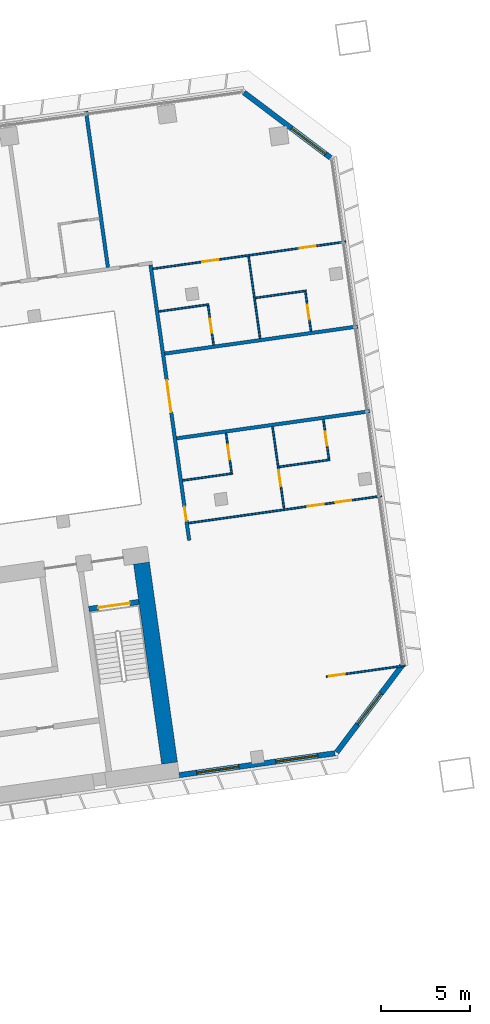
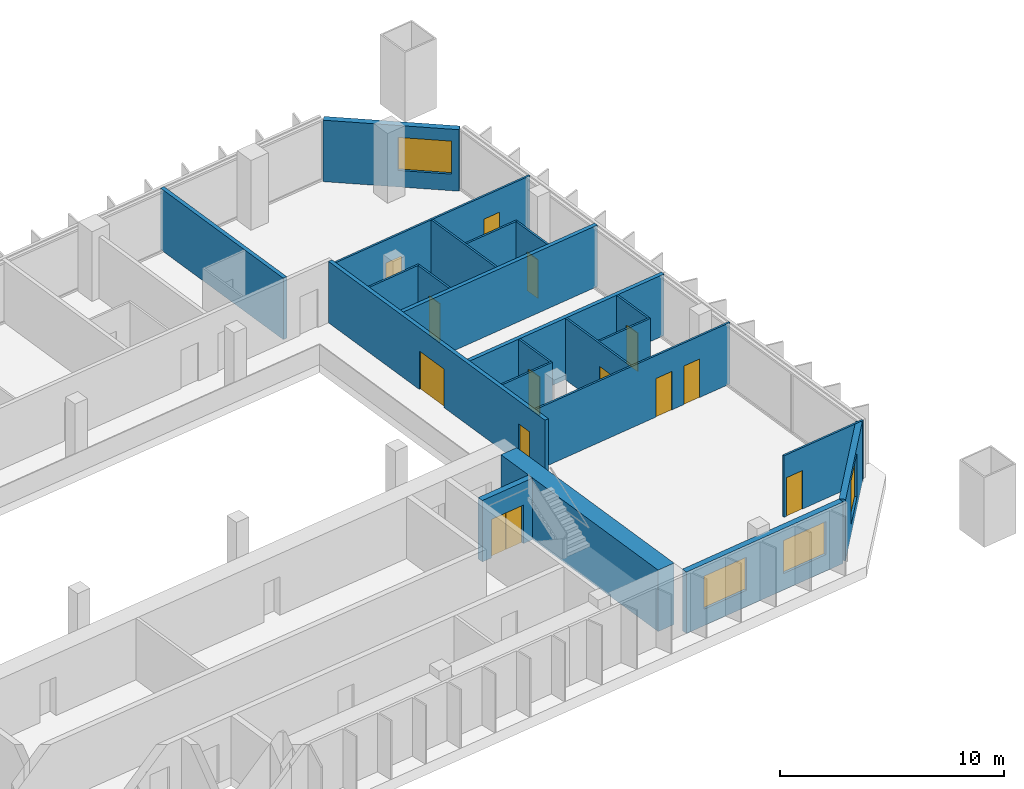
# One storey, part 21 of 24: 22 walls, 13 doors, 4 windows, 17 openings.
"""IFC4 building model written with IfcOpenShell, lengths in metres."""

from ifc_helpers import new_model, si_unit, direction, frame, frame_2d, origin, place, context, subcontext, project, spatial, rectangle, extrude, material, layer, layer_set, type_object, element, fill, save


model = new_model("IFC4")

# Units and contexts
model_context = context("Model", 3, precision=1e-05, world=origin(), true_north=direction((0.0, 1.0)))
body_context = subcontext(model_context, "Body", "Model", "MODEL_VIEW")
ifc_project = project(units=[si_unit("LENGTHUNIT", "METRE"), si_unit("AREAUNIT", "SQUARE_METRE"), si_unit("VOLUMEUNIT", "CUBIC_METRE"), si_unit("PLANEANGLEUNIT", "RADIAN"), si_unit("MASSUNIT", "GRAM", prefix="KILO")], contexts=[model_context])

# Site, building, storey
site_placement = place(None, origin())
site = spatial("IfcSite", under=ifc_project, at=site_placement, CompositionType="ELEMENT")
building_placement = place(site_placement, origin())
building = spatial("IfcBuilding", under=site, at=building_placement, Name="Mirante Cascada Hotel Towers", CompositionType="ELEMENT")
storey_placement = place(building_placement, frame((0.0, 0.0, 81.3)))
storey = spatial("IfcBuildingStorey", under=building, at=storey_placement, Name="L17", CompositionType="ELEMENT", Elevation=81.3)

# Walls
ifc_material_1 = material(Name="Fire-rated plasterboard on metal studs")
ifc_layer_1 = layer(ifc_material_1, 0.2)
ifc_layer_set_1 = layer_set([ifc_layer_1], Name="Compartment wall 200 EI 120")
wall_type_1 = type_object("IfcWallType", Name="Compartment wall 200 EI 120", PredefinedType="PARTITIONING", material=ifc_layer_set_1)
for number, where, z_axis, x_axis, name in (
    (1, (90.4064, 6.4896, 0.0), (0.0, 0.0, 1.0), (0.990268, 0.1391733, 0.0), "Wall 2-L17-08"),
    (2, (100.6266, 12.8067, 0.0), (0.0, 0.0, 1.0), (-0.990268, -0.1391733, 0.0), "Wall 2-L17-09"),
):
    element("IfcWall", number, at=place(storey_placement, frame(where, z_axis=z_axis, x_axis=x_axis)), inside=storey, type_object=wall_type_1, Name=name, PredefinedType="PARTITIONING", context=body_context, shape_type="SweptSolid", body=[
        extrude(rectangle(XDim=11.0, YDim=0.2, at=frame_2d((5.5, 0.0))), origin(), (0.0, 0.0, 1.0), 3.35),
    ])
wall_1_placement = place(storey_placement, frame((86.525, 16.1433, 0.0), z_axis=(0.0, 0.0, 1.0), x_axis=(-0.1391684, 0.9902687, 0.0)))
element("IfcWall", 3, at=wall_1_placement, inside=storey, type_object=wall_type_1, Name="Wall 2-L17-40", PredefinedType="PARTITIONING", context=body_context, shape_type="SweptSolid", body=[
    extrude(rectangle(XDim=8.9, YDim=0.2, at=frame_2d((4.45, 0.0))), origin(), (0.0, 0.0, 1.0), 3.35),
])

# Wall, openings, doors
wall_2_placement = place(storey_placement, frame((88.9295, 16.2793, 0.0), z_axis=(0.0, 0.0, 1.0), x_axis=(0.1391721, -0.9902682, 0.0)))
wall_2 = element("IfcWall", 4, at=wall_2_placement, inside=storey, type_object=wall_type_1, Name="Wall 2-L17-41", PredefinedType="PARTITIONING", context=body_context, shape_type="SweptSolid", body=[
    extrude(rectangle(XDim=15.7, YDim=0.2, at=frame_2d((7.85, 0.0))), origin(), (0.0, 0.0, 1.0), 3.35),
])
opening_1_placement = place(wall_2_placement, frame((13.7833, 0.0, 0.0)))
opening_1 = element("IfcOpeningElement", 5, at=opening_1_placement, cuts=wall_2, Name="Opening D2-L17-25", PredefinedType="OPENING", context=body_context, shape_type="SweptSolid", body=[
    extrude(rectangle(XDim=0.8, YDim=2.1, at=frame_2d((0.4, 1.05))), frame((0.0, 0.1, 0.0), z_axis=(0.0, -1.0, 0.0), x_axis=(1.0, 0.0, 0.0)), (0.0, 0.0, 1.0), 0.2),
])
opening_2_placement = place(wall_2_placement, frame((6.5834, 0.0, 0.0)))
opening_2 = element("IfcOpeningElement", 6, at=opening_2_placement, cuts=wall_2, Name="Opening D2-L17-26", PredefinedType="OPENING", context=body_context, shape_type="SweptSolid", body=[
    extrude(rectangle(XDim=1.8, YDim=2.1, at=frame_2d((0.9, 1.05))), frame((0.0, 0.1, 0.0), z_axis=(0.0, -1.0, 0.0), x_axis=(1.0, 0.0, 0.0)), (0.0, 0.0, 1.0), 0.2),
])
ifc_material_2 = material(Name="Fire-rated timber door leaf", Category="wood")
door_type_1 = type_object("IfcDoorType", Name="Bathroom door DG4 800x2100 EI 60", OperationType="SINGLE_SWING_LEFT", PredefinedType="DOOR", material=ifc_material_2)
door_1_placement = place(opening_1_placement, frame((0.8, 0.0, 0.0), z_axis=(0.0, 0.0, 1.0), x_axis=(-1.0, 0.0, 0.0)))
door_1 = element("IfcDoor", 7, at=door_1_placement, inside=storey, type_object=door_type_1, Name="Door D2-L17-25", OperationType="SINGLE_SWING_RIGHT", OverallHeight=2.1, OverallWidth=0.8, PredefinedType="DOOR", context=body_context, shape_type="SweptSolid", body=[
    extrude(rectangle(XDim=0.8, YDim=2.1, at=frame_2d((0.4, 1.05))), frame((0.0, 0.025, 0.0), z_axis=(0.0, -1.0, 0.0), x_axis=(1.0, 0.0, 0.0)), (0.0, 0.0, 1.0), 0.05),
])
fill(opening_1, door_1)
ifc_material_3 = material(Name="Fire-rated timber door leaf", Category="wood")
door_type_2 = type_object("IfcDoorType", Name="Suite double door DG2 1800x2100 EI 60", OperationType="DOUBLE_DOOR_SINGLE_SWING", PredefinedType="DOOR", material=ifc_material_3)
door_2_placement = place(opening_2_placement, origin())
door_2 = element("IfcDoor", 8, at=door_2_placement, inside=storey, type_object=door_type_2, Name="Door D2-L17-26", OperationType="DOUBLE_DOOR_SINGLE_SWING", OverallHeight=2.1, OverallWidth=1.8, PredefinedType="DOOR", context=body_context, shape_type="SweptSolid", body=[
    extrude(rectangle(XDim=0.895, YDim=2.1, at=frame_2d((0.4475, 1.05))), frame((0.0, 0.025, 0.0), z_axis=(0.0, -1.0, 0.0), x_axis=(1.0, 0.0, 0.0)), (0.0, 0.0, 1.0), 0.05),
    extrude(rectangle(XDim=0.895, YDim=2.1, at=frame_2d((1.3525, 1.05))), frame((0.0, 0.025, 0.0), z_axis=(0.0, -1.0, 0.0), x_axis=(1.0, 0.0, 0.0)), (0.0, 0.0, 1.0), 0.05),
])
fill(opening_2, door_2)

# Wall, opening, door
ifc_material_4 = material(Name="Plasterboard on metal studs")
ifc_layer_2 = layer(ifc_material_4, 0.1)
ifc_layer_set_2 = layer_set([ifc_layer_2], Name="Partition 100")
wall_type_2 = type_object("IfcWallType", Name="Partition 100", PredefinedType="PARTITIONING", material=ifc_layer_set_2)
wall_3_placement = place(storey_placement, frame((103.3173, -6.3384, 0.0), z_axis=(0.0, 0.0, 1.0), x_axis=(-0.9902674, -0.1391779, 0.0)))
wall_3 = element("IfcWall", 9, at=wall_3_placement, inside=storey, type_object=wall_type_2, Name="Wall 2-L17-01", PredefinedType="PARTITIONING", context=body_context, shape_type="SweptSolid", body=[
    extrude(rectangle(XDim=4.5, YDim=0.1, at=frame_2d((2.25, 0.0))), origin(), (0.0, 0.0, 1.0), 3.35),
])
opening_3_placement = place(wall_3_placement, frame((3.45, 0.0, 0.0)))
opening_3 = element("IfcOpeningElement", 10, at=opening_3_placement, cuts=wall_3, Name="Opening D2-L17-01", PredefinedType="OPENING", context=body_context, shape_type="SweptSolid", body=[
    extrude(rectangle(XDim=0.9, YDim=2.1, at=frame_2d((0.45, 1.05))), frame((0.0, 0.05, 0.0), z_axis=(0.0, -1.0, 0.0), x_axis=(1.0, 0.0, 0.0)), (0.0, 0.0, 1.0), 0.1),
])
ifc_material_5 = material(Name="Timber door leaf", Category="wood")
door_type_3 = type_object("IfcDoorType", Name="Room door DG3 900x2100", OperationType="SINGLE_SWING_LEFT", PredefinedType="DOOR", material=ifc_material_5)
door_3_placement = place(opening_3_placement, frame((0.9, 0.0, 0.0), z_axis=(0.0, 0.0, 1.0), x_axis=(-1.0, 0.0, 0.0)))
door_3 = element("IfcDoor", 11, at=door_3_placement, inside=storey, type_object=door_type_3, Name="Door D2-L17-01", OperationType="SINGLE_SWING_RIGHT", OverallHeight=2.1, OverallWidth=0.9, PredefinedType="DOOR", context=body_context, shape_type="SweptSolid", body=[
    extrude(rectangle(XDim=0.9, YDim=2.1, at=frame_2d((0.45, 1.05))), frame((0.0, 0.025, 0.0), z_axis=(0.0, -1.0, 0.0), x_axis=(1.0, 0.0, 0.0)), (0.0, 0.0, 1.0), 0.05),
])
fill(opening_3, door_3)

# Wall, openings, doors
wall_4_placement = place(storey_placement, frame((91.079, 1.7033, 0.0), z_axis=(0.0, 0.0, 1.0), x_axis=(0.9902682, 0.1391721, 0.0)))
wall_4 = element("IfcWall", 12, at=wall_4_placement, inside=storey, type_object=wall_type_2, Name="Wall 2-L17-02", PredefinedType="PARTITIONING", context=body_context, shape_type="SweptSolid", body=[
    extrude(rectangle(XDim=11.0001, YDim=0.1, at=frame_2d((5.5, 0.0))), origin(), (0.0, 0.0, 1.0), 3.35),
])
opening_4_placement = place(wall_4_placement, frame((6.8, 0.0, 0.0)))
opening_4 = element("IfcOpeningElement", 13, at=opening_4_placement, cuts=wall_4, Name="Opening D2-L17-02", PredefinedType="OPENING", context=body_context, shape_type="SweptSolid", body=[
    extrude(rectangle(XDim=0.9, YDim=2.1, at=frame_2d((0.45, 1.05))), frame((0.0, 0.05, 0.0), z_axis=(0.0, -1.0, 0.0), x_axis=(1.0, 0.0, 0.0)), (0.0, 0.0, 1.0), 0.1),
])
opening_5_placement = place(wall_4_placement, frame((8.375, 0.0, 0.0)))
opening_5 = element("IfcOpeningElement", 14, at=opening_5_placement, cuts=wall_4, Name="Opening D2-L17-03", PredefinedType="OPENING", context=body_context, shape_type="SweptSolid", body=[
    extrude(rectangle(XDim=0.9, YDim=2.1, at=frame_2d((0.45, 1.05))), frame((0.0, 0.05, 0.0), z_axis=(0.0, -1.0, 0.0), x_axis=(1.0, 0.0, 0.0)), (0.0, 0.0, 1.0), 0.1),
])
door_4_placement = place(opening_4_placement, frame((0.9, 0.0, 0.0), z_axis=(0.0, 0.0, 1.0), x_axis=(-1.0, 0.0, 0.0)))
door_4 = element("IfcDoor", 15, at=door_4_placement, inside=storey, type_object=door_type_3, Name="Door D2-L17-02", OperationType="SINGLE_SWING_RIGHT", OverallHeight=2.1, OverallWidth=0.9, PredefinedType="DOOR", context=body_context, shape_type="SweptSolid", body=[
    extrude(rectangle(XDim=0.9, YDim=2.1, at=frame_2d((0.45, 1.05))), frame((0.0, 0.025, 0.0), z_axis=(0.0, -1.0, 0.0), x_axis=(1.0, 0.0, 0.0)), (0.0, 0.0, 1.0), 0.05),
])
fill(opening_4, door_4)
door_5_placement = place(opening_5_placement, frame((0.9, 0.0, 0.0), z_axis=(0.0, 0.0, 1.0), x_axis=(-1.0, 0.0, 0.0)))
door_5 = element("IfcDoor", 16, at=door_5_placement, inside=storey, type_object=door_type_3, Name="Door D2-L17-03", OperationType="SINGLE_SWING_RIGHT", OverallHeight=2.1, OverallWidth=0.9, PredefinedType="DOOR", context=body_context, shape_type="SweptSolid", body=[
    extrude(rectangle(XDim=0.9, YDim=2.1, at=frame_2d((0.45, 1.05))), frame((0.0, 0.025, 0.0), z_axis=(0.0, -1.0, 0.0), x_axis=(1.0, 0.0, 0.0)), (0.0, 0.0, 1.0), 0.05),
])
fill(opening_5, door_5)

# Walls
wall_5_placement = place(storey_placement, frame((93.5626, 4.5096, 0.0), z_axis=(0.0, 0.0, 1.0), x_axis=(-0.9902649, -0.1391957, 0.0)))
element("IfcWall", 17, at=wall_5_placement, inside=storey, type_object=wall_type_2, Name="Wall 2-L17-05", PredefinedType="PARTITIONING", context=body_context, shape_type="SweptSolid", body=[
    extrude(rectangle(XDim=2.8499, YDim=0.1, at=frame_2d((1.425, 0.0))), origin(), (0.0, 0.0, 1.0), 3.35),
])
wall_6_placement = place(storey_placement, frame((96.1868, 4.8784, 0.0), z_axis=(0.0, 0.0, 1.0), x_axis=(0.9902683, 0.1391714, 0.0)))
element("IfcWall", 18, at=wall_6_placement, inside=storey, type_object=wall_type_2, Name="Wall 2-L17-06", PredefinedType="PARTITIONING", context=body_context, shape_type="SweptSolid", body=[
    extrude(rectangle(XDim=2.9, YDim=0.1, at=frame_2d((1.45, 0.0))), origin(), (0.0, 0.0, 1.0), 3.35),
])
wall_7_placement = place(storey_placement, frame((89.3997, 13.6525, 0.0), z_axis=(0.0, 0.0, 1.0), x_axis=(0.9902697, 0.1391613, 0.0)))
element("IfcWall", 19, at=wall_7_placement, inside=storey, type_object=wall_type_2, Name="Wall 2-L17-10", PredefinedType="PARTITIONING", context=body_context, shape_type="SweptSolid", body=[
    extrude(rectangle(XDim=2.8499, YDim=0.1, at=frame_2d((1.425, 0.0))), origin(), (0.0, 0.0, 1.0), 3.35),
])
wall_8_placement = place(storey_placement, frame((97.7179, 14.8215, 0.0), z_axis=(0.0, 0.0, 1.0), x_axis=(-0.9902683, -0.1391714, 0.0)))
element("IfcWall", 20, at=wall_8_placement, inside=storey, type_object=wall_type_2, Name="Wall 2-L17-11", PredefinedType="PARTITIONING", context=body_context, shape_type="SweptSolid", body=[
    extrude(rectangle(XDim=2.9, YDim=0.1, at=frame_2d((1.45, 0.0))), origin(), (0.0, 0.0, 1.0), 3.35),
])

# Wall, openings, doors
wall_9_placement = place(storey_placement, frame((89.061, 16.0622, 0.0), z_axis=(0.0, 0.0, 1.0), x_axis=(0.9902682, 0.1391721, 0.0)))
wall_9 = element("IfcWall", 21, at=wall_9_placement, inside=storey, type_object=wall_type_2, Name="Wall 2-L17-12", PredefinedType="PARTITIONING", context=body_context, shape_type="SweptSolid", body=[
    extrude(rectangle(XDim=11.0001, YDim=0.1, at=frame_2d((5.5, 0.0))), origin(), (0.0, 0.0, 1.0), 3.35),
])
opening_6_placement = place(wall_9_placement, frame((2.825, 0.0, 0.0)))
opening_6 = element("IfcOpeningElement", 22, at=opening_6_placement, cuts=wall_9, Name="Opening D2-L17-05", PredefinedType="OPENING", context=body_context, shape_type="SweptSolid", body=[
    extrude(rectangle(XDim=0.9, YDim=2.1, at=frame_2d((0.45, 1.05))), frame((0.0, 0.05, 0.0), z_axis=(0.0, -1.0, 0.0), x_axis=(1.0, 0.0, 0.0)), (0.0, 0.0, 1.0), 0.1),
])
opening_7_placement = place(wall_9_placement, frame((8.375, 0.0, 0.0)))
opening_7 = element("IfcOpeningElement", 23, at=opening_7_placement, cuts=wall_9, Name="Opening D2-L17-06", PredefinedType="OPENING", context=body_context, shape_type="SweptSolid", body=[
    extrude(rectangle(XDim=0.9, YDim=2.1, at=frame_2d((0.45, 1.05))), frame((0.0, 0.05, 0.0), z_axis=(0.0, -1.0, 0.0), x_axis=(1.0, 0.0, 0.0)), (0.0, 0.0, 1.0), 0.1),
])
door_6_placement = place(opening_6_placement, origin())
door_6 = element("IfcDoor", 24, at=door_6_placement, inside=storey, type_object=door_type_3, Name="Door D2-L17-05", OperationType="SINGLE_SWING_LEFT", OverallHeight=2.1, OverallWidth=0.9, PredefinedType="DOOR", context=body_context, shape_type="SweptSolid", body=[
    extrude(rectangle(XDim=0.9, YDim=2.1, at=frame_2d((0.45, 1.05))), frame((0.0, 0.025, 0.0), z_axis=(0.0, -1.0, 0.0), x_axis=(1.0, 0.0, 0.0)), (0.0, 0.0, 1.0), 0.05),
])
fill(opening_6, door_6)
door_7_placement = place(opening_7_placement, origin())
door_7 = element("IfcDoor", 25, at=door_7_placement, inside=storey, type_object=door_type_3, Name="Door D2-L17-06", OperationType="SINGLE_SWING_LEFT", OverallHeight=2.1, OverallWidth=0.9, PredefinedType="DOOR", context=body_context, shape_type="SweptSolid", body=[
    extrude(rectangle(XDim=0.9, YDim=2.1, at=frame_2d((0.45, 1.05))), frame((0.0, 0.025, 0.0), z_axis=(0.0, -1.0, 0.0), x_axis=(1.0, 0.0, 0.0)), (0.0, 0.0, 1.0), 0.05),
])
fill(opening_7, door_7)

# Wall, opening, door
wall_10_placement = place(storey_placement, frame((93.5062, 4.5521, 0.0), z_axis=(0.0, 0.0, 1.0), x_axis=(-0.1391997, 0.9902643, 0.0)))
wall_10 = element("IfcWall", 26, at=wall_10_placement, inside=storey, type_object=wall_type_2, Name="Wall 2-L17-42", PredefinedType="PARTITIONING", context=body_context, shape_type="SweptSolid", body=[
    extrude(rectangle(XDim=2.25, YDim=0.1, at=frame_2d((1.125, 0.0))), origin(), (0.0, 0.0, 1.0), 3.35),
])
opening_8_placement = place(wall_10_placement, frame((0.75, 0.0, 0.0)))
opening_8 = element("IfcOpeningElement", 27, at=opening_8_placement, cuts=wall_10, Name="Opening D2-L17-27", PredefinedType="OPENING", context=body_context, shape_type="SweptSolid", body=[
    extrude(rectangle(XDim=0.8, YDim=2.1, at=frame_2d((0.4, 1.05))), frame((0.0, 0.05, 0.0), z_axis=(0.0, -1.0, 0.0), x_axis=(1.0, 0.0, 0.0)), (0.0, 0.0, 1.0), 0.1),
])
ifc_material_6 = material(Name="Timber door leaf", Category="wood")
door_type_4 = type_object("IfcDoorType", Name="Bathroom door DG4 800x2100", OperationType="SINGLE_SWING_LEFT", PredefinedType="DOOR", material=ifc_material_6)
door_8_placement = place(opening_8_placement, origin())
door_8 = element("IfcDoor", 28, at=door_8_placement, inside=storey, type_object=door_type_4, Name="Door D2-L17-27", OperationType="SINGLE_SWING_LEFT", OverallHeight=2.1, OverallWidth=0.8, PredefinedType="DOOR", context=body_context, shape_type="SweptSolid", body=[
    extrude(rectangle(XDim=0.8, YDim=2.1, at=frame_2d((0.4, 1.05))), frame((0.0, 0.025, 0.0), z_axis=(0.0, -1.0, 0.0), x_axis=(1.0, 0.0, 0.0)), (0.0, 0.0, 1.0), 0.05),
])
fill(opening_8, door_8)

wall_11_placement = place(storey_placement, frame((92.1794, 13.9926, 0.0), z_axis=(0.0, 0.0, 1.0), x_axis=(0.1391561, -0.9902705, 0.0)))
wall_11 = element("IfcWall", 29, at=wall_11_placement, inside=storey, type_object=wall_type_2, Name="Wall 2-L17-43", PredefinedType="PARTITIONING", context=body_context, shape_type="SweptSolid", body=[
    extrude(rectangle(XDim=2.25, YDim=0.1, at=frame_2d((1.125, 0.0))), origin(), (0.0, 0.0, 1.0), 3.35),
])
opening_9_placement = place(wall_11_placement, frame((0.75, 0.0, 0.0)))
opening_9 = element("IfcOpeningElement", 30, at=opening_9_placement, cuts=wall_11, Name="Opening D2-L17-28", PredefinedType="OPENING", context=body_context, shape_type="SweptSolid", body=[
    extrude(rectangle(XDim=0.8, YDim=2.1, at=frame_2d((0.4, 1.05))), frame((0.0, 0.05, 0.0), z_axis=(0.0, -1.0, 0.0), x_axis=(1.0, 0.0, 0.0)), (0.0, 0.0, 1.0), 0.1),
])
door_9_placement = place(opening_9_placement, frame((0.8, 0.0, 0.0), z_axis=(0.0, 0.0, 1.0), x_axis=(-1.0, 0.0, 0.0)))
door_9 = element("IfcDoor", 31, at=door_9_placement, inside=storey, type_object=door_type_4, Name="Door D2-L17-28", OperationType="SINGLE_SWING_RIGHT", OverallHeight=2.1, OverallWidth=0.8, PredefinedType="DOOR", context=body_context, shape_type="SweptSolid", body=[
    extrude(rectangle(XDim=0.8, YDim=2.1, at=frame_2d((0.4, 1.05))), frame((0.0, 0.025, 0.0), z_axis=(0.0, -1.0, 0.0), x_axis=(1.0, 0.0, 0.0)), (0.0, 0.0, 1.0), 0.05),
])
fill(opening_9, door_9)

wall_12_placement = place(storey_placement, frame((96.469, 2.5113, 0.0), z_axis=(0.0, 0.0, 1.0), x_axis=(-0.139176, 0.9902677, 0.0)))
wall_12 = element("IfcWall", 32, at=wall_12_placement, inside=storey, type_object=wall_type_2, Name="Wall 2-L17-44", PredefinedType="PARTITIONING", context=body_context, shape_type="SweptSolid", body=[
    extrude(rectangle(XDim=4.6833, YDim=0.1, at=frame_2d((2.3416, 0.0))), origin(), (0.0, 0.0, 1.0), 3.35),
])
opening_10_placement = place(wall_12_placement, frame((1.3, 0.0, 0.0)))
opening_10 = element("IfcOpeningElement", 33, at=opening_10_placement, cuts=wall_12, Name="Opening D2-L17-29", PredefinedType="OPENING", context=body_context, shape_type="SweptSolid", body=[
    extrude(rectangle(XDim=0.9, YDim=2.1, at=frame_2d((0.45, 1.05))), frame((0.0, 0.05, 0.0), z_axis=(0.0, -1.0, 0.0), x_axis=(1.0, 0.0, 0.0)), (0.0, 0.0, 1.0), 0.1),
])
door_10_placement = place(opening_10_placement, origin())
door_10 = element("IfcDoor", 34, at=door_10_placement, inside=storey, type_object=door_type_3, Name="Door D2-L17-29", OperationType="SINGLE_SWING_LEFT", OverallHeight=2.1, OverallWidth=0.9, PredefinedType="DOOR", context=body_context, shape_type="SweptSolid", body=[
    extrude(rectangle(XDim=0.9, YDim=2.1, at=frame_2d((0.45, 1.05))), frame((0.0, 0.025, 0.0), z_axis=(0.0, -1.0, 0.0), x_axis=(1.0, 0.0, 0.0)), (0.0, 0.0, 1.0), 0.05),
])
fill(opening_10, door_10)

# Wall
wall_13_placement = place(storey_placement, frame((94.4649, 16.7712, 0.0), z_axis=(0.0, 0.0, 1.0), x_axis=(0.1391701, -0.9902685, 0.0)))
element("IfcWall", 35, at=wall_13_placement, inside=storey, type_object=wall_type_2, Name="Wall 2-L17-45", PredefinedType="PARTITIONING", context=body_context, shape_type="SweptSolid", body=[
    extrude(rectangle(XDim=4.6835, YDim=0.1, at=frame_2d((2.3418, 0.0))), origin(), (0.0, 0.0, 1.0), 3.35),
])

# Wall, opening, door
wall_14_placement = place(storey_placement, frame((99.0021, 5.3245, 0.0), z_axis=(0.0, 0.0, 1.0), x_axis=(-0.1391561, 0.9902705, 0.0)))
wall_14 = element("IfcWall", 36, at=wall_14_placement, inside=storey, type_object=wall_type_2, Name="Wall 2-L17-46", PredefinedType="PARTITIONING", context=body_context, shape_type="SweptSolid", body=[
    extrude(rectangle(XDim=2.25, YDim=0.1, at=frame_2d((1.125, 0.0))), origin(), (0.0, 0.0, 1.0), 3.35),
])
opening_11_placement = place(wall_14_placement, frame((0.75, 0.0, 0.0)))
opening_11 = element("IfcOpeningElement", 37, at=opening_11_placement, cuts=wall_14, Name="Opening D2-L17-30", PredefinedType="OPENING", context=body_context, shape_type="SweptSolid", body=[
    extrude(rectangle(XDim=0.8, YDim=2.1, at=frame_2d((0.4, 1.05))), frame((0.0, 0.05, 0.0), z_axis=(0.0, -1.0, 0.0), x_axis=(1.0, 0.0, 0.0)), (0.0, 0.0, 1.0), 0.1),
])
door_11_placement = place(opening_11_placement, origin())
door_11 = element("IfcDoor", 38, at=door_11_placement, inside=storey, type_object=door_type_4, Name="Door D2-L17-30", OperationType="SINGLE_SWING_LEFT", OverallHeight=2.1, OverallWidth=0.8, PredefinedType="DOOR", context=body_context, shape_type="SweptSolid", body=[
    extrude(rectangle(XDim=0.8, YDim=2.1, at=frame_2d((0.4, 1.05))), frame((0.0, 0.025, 0.0), z_axis=(0.0, -1.0, 0.0), x_axis=(1.0, 0.0, 0.0)), (0.0, 0.0, 1.0), 0.05),
])
fill(opening_11, door_11)

wall_15_placement = place(storey_placement, frame((97.6754, 14.765, 0.0), z_axis=(0.0, 0.0, 1.0), x_axis=(0.1391561, -0.9902705, 0.0)))
wall_15 = element("IfcWall", 39, at=wall_15_placement, inside=storey, type_object=wall_type_2, Name="Wall 2-L17-47", PredefinedType="PARTITIONING", context=body_context, shape_type="SweptSolid", body=[
    extrude(rectangle(XDim=2.25, YDim=0.1, at=frame_2d((1.125, 0.0))), origin(), (0.0, 0.0, 1.0), 3.35),
])
opening_12_placement = place(wall_15_placement, frame((0.75, 0.0, 0.0)))
opening_12 = element("IfcOpeningElement", 40, at=opening_12_placement, cuts=wall_15, Name="Opening D2-L17-31", PredefinedType="OPENING", context=body_context, shape_type="SweptSolid", body=[
    extrude(rectangle(XDim=0.8, YDim=2.1, at=frame_2d((0.4, 1.05))), frame((0.0, 0.05, 0.0), z_axis=(0.0, -1.0, 0.0), x_axis=(1.0, 0.0, 0.0)), (0.0, 0.0, 1.0), 0.1),
])
door_12_placement = place(opening_12_placement, frame((0.8, 0.0, 0.0), z_axis=(0.0, 0.0, 1.0), x_axis=(-1.0, 0.0, 0.0)))
door_12 = element("IfcDoor", 41, at=door_12_placement, inside=storey, type_object=door_type_4, Name="Door D2-L17-31", OperationType="SINGLE_SWING_RIGHT", OverallHeight=2.1, OverallWidth=0.8, PredefinedType="DOOR", context=body_context, shape_type="SweptSolid", body=[
    extrude(rectangle(XDim=0.8, YDim=2.1, at=frame_2d((0.4, 1.05))), frame((0.0, 0.025, 0.0), z_axis=(0.0, -1.0, 0.0), x_axis=(1.0, 0.0, 0.0)), (0.0, 0.0, 1.0), 0.05),
])
fill(opening_12, door_12)

# Wall, openings, windows
ifc_material_7 = material(Name="Precast concrete C40/50", Category="concrete")
ifc_layer_3 = layer(ifc_material_7, 0.3)
ifc_layer_set_3 = layer_set([ifc_layer_3], Name="Precast concrete C40/50 cladding wall 300")
wall_type_3 = type_object("IfcWallType", Name="Precast concrete C40/50 cladding wall 300", PredefinedType="STANDARD", material=ifc_layer_set_3)
wall_16_placement = place(storey_placement, frame((90.5541, -12.5249, 0.0), z_axis=(0.0, 0.0, 1.0), x_axis=(0.9902678, 0.1391749, 0.0)))
wall_16 = element("IfcWall", 42, at=wall_16_placement, inside=storey, type_object=wall_type_3, Name="Rear cladding wall T2 L17 1", PredefinedType="STANDARD", context=body_context, shape_type="SweptSolid", body=[
    extrude(rectangle(XDim=8.8759, YDim=0.3, at=frame_2d((4.438, 0.0))), origin(), (0.0, 0.0, 1.0), 3.35),
])
opening_13_placement = place(wall_16_placement, frame((1.0012, 0.0, 0.9)))
opening_13 = element("IfcOpeningElement", 43, at=opening_13_placement, cuts=wall_16, Name="Opening W2-17-01", PredefinedType="OPENING", context=body_context, shape_type="SweptSolid", body=[
    extrude(rectangle(XDim=2.4, YDim=1.8, at=frame_2d((1.2, 0.9))), frame((0.0, 0.15, 0.0), z_axis=(0.0, -1.0, 0.0), x_axis=(1.0, 0.0, 0.0)), (0.0, 0.0, 1.0), 0.3),
])
opening_14_placement = place(wall_16_placement, frame((5.4923, 0.0, 0.9)))
opening_14 = element("IfcOpeningElement", 44, at=opening_14_placement, cuts=wall_16, Name="Opening W2-17-02", PredefinedType="OPENING", context=body_context, shape_type="SweptSolid", body=[
    extrude(rectangle(XDim=2.4, YDim=1.8, at=frame_2d((1.2, 0.9))), frame((0.0, 0.15, 0.0), z_axis=(0.0, -1.0, 0.0), x_axis=(1.0, 0.0, 0.0)), (0.0, 0.0, 1.0), 0.3),
])
ifc_material_8 = material(Name="Aluminium frame with clear double glazing", Category="aluminium")
window_type_1 = type_object("IfcWindowType", Name="Punched window 2400x1800", PartitioningType="DOUBLE_PANEL_VERTICAL", PredefinedType="WINDOW", material=ifc_material_8)
window_1_placement = place(opening_13_placement, origin())
window_1 = element("IfcWindow", 45, at=window_1_placement, inside=storey, type_object=window_type_1, Name="Window W2-17-01", OverallHeight=1.8, OverallWidth=2.4, PartitioningType="SINGLE_PANEL", PredefinedType="WINDOW", context=body_context, shape_type="SweptSolid", body=[
    extrude(rectangle(XDim=2.4, YDim=1.8, at=frame_2d((1.2, 0.9))), frame((0.0, 0.03, 0.0), z_axis=(0.0, -1.0, 0.0), x_axis=(1.0, 0.0, 0.0)), (0.0, 0.0, 1.0), 0.06),
])
fill(opening_13, window_1)
window_2_placement = place(opening_14_placement, origin())
window_2 = element("IfcWindow", 46, at=window_2_placement, inside=storey, type_object=window_type_1, Name="Window W2-17-02", OverallHeight=1.8, OverallWidth=2.4, PartitioningType="SINGLE_PANEL", PredefinedType="WINDOW", context=body_context, shape_type="SweptSolid", body=[
    extrude(rectangle(XDim=2.4, YDim=1.8, at=frame_2d((1.2, 0.9))), frame((0.0, 0.03, 0.0), z_axis=(0.0, -1.0, 0.0), x_axis=(1.0, 0.0, 0.0)), (0.0, 0.0, 1.0), 0.06),
])
fill(opening_14, window_2)

# Wall, opening, window
wall_17_placement = place(storey_placement, frame((99.4423, -11.2315, 0.0), z_axis=(0.0, 0.0, 1.0), x_axis=(0.6018141, 0.7986362, 0.0)))
wall_17 = element("IfcWall", 47, at=wall_17_placement, inside=storey, type_object=wall_type_3, Name="Corner cladding wall T2 L17 rear outer", PredefinedType="STANDARD", context=body_context, shape_type="SweptSolid", body=[
    extrude(rectangle(XDim=6.1157, YDim=0.3, at=frame_2d((3.0578, 0.0))), origin(), (0.0, 0.0, 1.0), 3.35),
])
opening_15_placement = place(wall_17_placement, frame((1.9578, 0.0, 0.6)))
opening_15 = element("IfcOpeningElement", 48, at=opening_15_placement, cuts=wall_17, Name="Opening W2-17-03", PredefinedType="OPENING", context=body_context, shape_type="SweptSolid", body=[
    extrude(rectangle(XDim=2.2, YDim=2.4, at=frame_2d((1.1, 1.2))), frame((0.0, 0.15, 0.0), z_axis=(0.0, -1.0, 0.0), x_axis=(1.0, 0.0, 0.0)), (0.0, 0.0, 1.0), 0.3),
])
ifc_material_9 = material(Name="Aluminium frame with clear double glazing", Category="aluminium")
window_type_2 = type_object("IfcWindowType", Name="Corner suite window 2200x2400", PartitioningType="DOUBLE_PANEL_VERTICAL", PredefinedType="WINDOW", material=ifc_material_9)
window_3_placement = place(opening_15_placement, origin())
window_3 = element("IfcWindow", 49, at=window_3_placement, inside=storey, type_object=window_type_2, Name="Window W2-17-03", OverallHeight=2.4, OverallWidth=2.2, PartitioningType="SINGLE_PANEL", PredefinedType="WINDOW", context=body_context, shape_type="SweptSolid", body=[
    extrude(rectangle(XDim=2.2, YDim=2.4, at=frame_2d((1.1, 1.2))), frame((0.0, 0.03, 0.0), z_axis=(0.0, -1.0, 0.0), x_axis=(1.0, 0.0, 0.0)), (0.0, 0.0, 1.0), 0.06),
])
fill(opening_15, window_3)

wall_18_placement = place(storey_placement, frame((99.0919, 22.3343, 0.0), z_axis=(0.0, 0.0, 1.0), x_axis=(-0.7986362, 0.6018141, 0.0)))
wall_18 = element("IfcWall", 50, at=wall_18_placement, inside=storey, type_object=wall_type_3, Name="Corner cladding wall T2 L17 outer front", PredefinedType="STANDARD", context=body_context, shape_type="SweptSolid", body=[
    extrude(rectangle(XDim=6.1157, YDim=0.3, at=frame_2d((3.0578, 0.0))), origin(), (0.0, 0.0, 1.0), 3.35),
])
opening_16_placement = place(wall_18_placement, frame((0.35, 0.0, 0.9)))
opening_16 = element("IfcOpeningElement", 51, at=opening_16_placement, cuts=wall_18, Name="Opening W2-17-06", PredefinedType="OPENING", context=body_context, shape_type="SweptSolid", body=[
    extrude(rectangle(XDim=2.4, YDim=1.8, at=frame_2d((1.2, 0.9))), frame((0.0, 0.15, 0.0), z_axis=(0.0, -1.0, 0.0), x_axis=(1.0, 0.0, 0.0)), (0.0, 0.0, 1.0), 0.3),
])
window_4_placement = place(opening_16_placement, origin())
window_4 = element("IfcWindow", 52, at=window_4_placement, inside=storey, type_object=window_type_1, Name="Window W2-17-06", OverallHeight=1.8, OverallWidth=2.4, PartitioningType="SINGLE_PANEL", PredefinedType="WINDOW", context=body_context, shape_type="SweptSolid", body=[
    extrude(rectangle(XDim=2.4, YDim=1.8, at=frame_2d((1.2, 0.9))), frame((0.0, 0.03, 0.0), z_axis=(0.0, -1.0, 0.0), x_axis=(1.0, 0.0, 0.0)), (0.0, 0.0, 1.0), 0.06),
])
fill(opening_16, window_4)

# Wall, opening, door
ifc_material_10 = material(Name="Concrete C50/60", Category="concrete")
ifc_layer_4 = layer(ifc_material_10, 0.3)
ifc_layer_set_4 = layer_set([ifc_layer_4], Name="RC core wall 300 C50/60")
wall_type_4 = type_object("IfcWallType", Name="RC core wall 300 C50/60", PredefinedType="SHEAR", material=ifc_layer_set_4)
wall_19_placement = place(storey_placement, frame((85.4489, -3.1441, 0.0), z_axis=(0.0, 0.0, 1.0), x_axis=(0.9902697, 0.1391613, 0.0)))
wall_19 = element("IfcWall", 53, at=wall_19_placement, inside=storey, type_object=wall_type_4, Name="Core wall T2:L17:11", PredefinedType="SHEAR", context=body_context, shape_type="SweptSolid", body=[
    extrude(rectangle(XDim=2.8499, YDim=0.3, at=frame_2d((1.425, 0.0))), origin(), (0.0, 0.0, 1.0), 3.35),
])
opening_17_placement = place(wall_19_placement, frame((0.525, 0.0, 0.0)))
opening_17 = element("IfcOpeningElement", 54, at=opening_17_placement, cuts=wall_19, Name="Opening D2-17-C17", PredefinedType="OPENING", context=body_context, shape_type="SweptSolid", body=[
    extrude(rectangle(XDim=1.8, YDim=2.1, at=frame_2d((0.9, 1.05))), frame((0.0, 0.15, 0.0), z_axis=(0.0, -1.0, 0.0), x_axis=(1.0, 0.0, 0.0)), (0.0, 0.0, 1.0), 0.3),
])
ifc_material_11 = material(Name="Hollow metal fire door leaf")
door_type_5 = type_object("IfcDoorType", Name="Double fire door 1800x2100 FD60", OperationType="DOUBLE_DOOR_SINGLE_SWING", PredefinedType="DOOR", material=ifc_material_11)
door_13_placement = place(opening_17_placement, frame((1.8, 0.0, 0.0), z_axis=(0.0, 0.0, 1.0), x_axis=(-1.0, 0.0, 0.0)))
door_13 = element("IfcDoor", 55, at=door_13_placement, inside=storey, type_object=door_type_5, Name="Stair door T2 L17 17", OperationType="DOUBLE_DOOR_SINGLE_SWING", OverallHeight=2.1, OverallWidth=1.8, PredefinedType="DOOR", context=body_context, shape_type="SweptSolid", body=[
    extrude(rectangle(XDim=0.895, YDim=2.1, at=frame_2d((0.4475, 1.05))), frame((0.0, 0.025, 0.0), z_axis=(0.0, -1.0, 0.0), x_axis=(1.0, 0.0, 0.0)), (0.0, 0.0, 1.0), 0.05),
    extrude(rectangle(XDim=0.895, YDim=2.1, at=frame_2d((1.3525, 1.05))), frame((0.0, 0.025, 0.0), z_axis=(0.0, -1.0, 0.0), x_axis=(1.0, 0.0, 0.0)), (0.0, 0.0, 1.0), 0.05),
])
fill(opening_17, door_13)

# Wall
ifc_material_12 = material(Name="Concrete C50/60", Category="concrete")
ifc_layer_5 = layer(ifc_material_12, 0.9)
ifc_layer_set_5 = layer_set([ifc_layer_5], Name="RC core wall 900 C50/60")
wall_type_5 = type_object("IfcWallType", Name="RC core wall 900 C50/60", PredefinedType="SHEAR", material=ifc_layer_set_5)
wall_20_placement = place(storey_placement, frame((90.0041, -11.8449, 0.0), z_axis=(0.0, 0.0, 1.0), x_axis=(-0.1391749, 0.9902678, 0.0)))
element("IfcWall", 56, at=wall_20_placement, inside=storey, type_object=wall_type_5, Name="Core wall T2:L17:4", PredefinedType="SHEAR", context=body_context, shape_type="SweptSolid", body=[
    extrude(rectangle(XDim=11.4, YDim=0.9, at=frame_2d((5.7, 0.0))), origin(), (0.0, 0.0, 1.0), 3.35),
])

save(model, "model.ifc")
